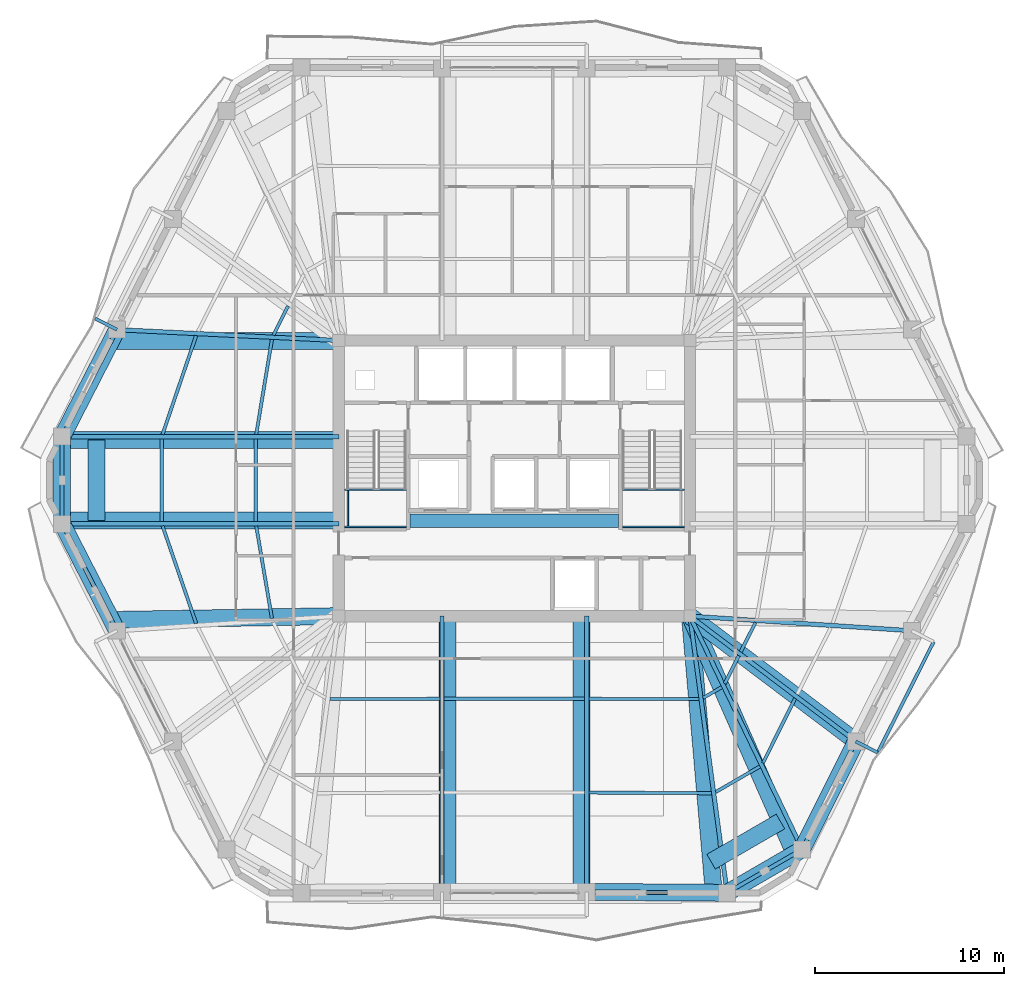
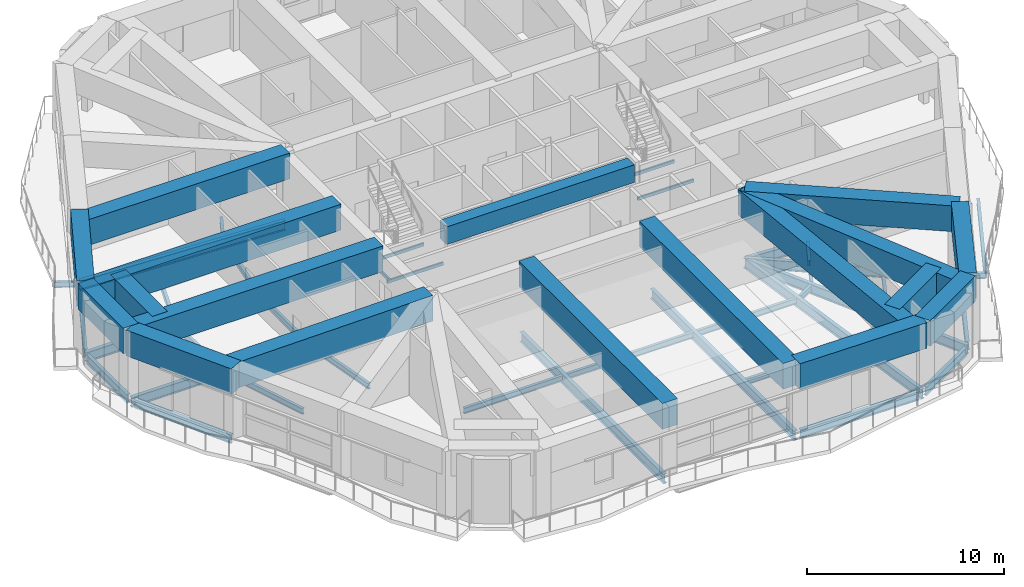
# One storey, part 5 of 20: 57 beams.
"""IFC4 building model written with IfcOpenShell, lengths in metres."""

import ifcopenshell
import ifcopenshell.guid

model = None  # the IFC model being written
_history = None  # IfcOwnerHistory: only IFC2X3 demands one
_inside = {}  # id of a spatial element -> (the spatial element, [elements in it])
_under = {}  # id of a project, library or spatial element -> (it, [spatial elements below it])
_declared = {}  # id of a project -> (the project, [libraries it declares])
_typed = {}  # id of a type object -> (the type object, [elements of that type])
_made_of = {}  # id of a material, layer set ... -> (it, [elements and type objects made of it])


def new_model(schema):
    """Start an empty IFC model of exactly this schema.

    Asked for "IFC4X3", IfcOpenShell would pick the latest addendum, in which some entities
    have other attributes; the version numbers below select the first issue.
    IFC2X3 requires an IfcOwnerHistory on every rooted entity: one is made here for all.
    """
    global model, _history
    if schema == "IFC4X3":
        model = ifcopenshell.file(schema_version=(4, 3, 0, 0))
    else:
        model = ifcopenshell.file(schema=schema)
    _inside.clear()
    _under.clear()
    _declared.clear()
    _typed.clear()
    _made_of.clear()
    _history = None
    if model.schema == "IFC2X3":
        org = make("IfcOrganization", Name="unknown")
        user = make(
            "IfcPersonAndOrganization",
            ThePerson=make("IfcPerson", FamilyName="unknown"),
            TheOrganization=org,
        )
        app = make(
            "IfcApplication",
            ApplicationDeveloper=org,
            Version="unknown",
            ApplicationFullName="unknown",
            ApplicationIdentifier="unknown",
        )
        _history = make(
            "IfcOwnerHistory",
            OwningUser=user,
            OwningApplication=app,
            ChangeAction="ADDED",
            CreationDate=0,
        )
    return model


def make(cls, **values):
    """One entity of the class cls with the attributes given. An attribute that is None is left unset."""
    return model.create_entity(
        cls, **{name: value for name, value in values.items() if value is not None}
    )


def rooted(cls, **values):
    """An entity with a GlobalId (a new one), such as an element, a storey or a relation."""
    return make(cls, GlobalId=ifcopenshell.guid.new(), OwnerHistory=_history, **values)


def si_unit(unit_type, name, prefix=None):
    """IfcSIUnit, for example si_unit("LENGTHUNIT", "METRE", prefix="MILLI")."""
    return make("IfcSIUnit", UnitType=unit_type, Prefix=prefix, Name=name)


def assignment(units):
    """IfcUnitAssignment: the units of a project."""
    return None if units is None else make("IfcUnitAssignment", Units=units)


def point(xyz):
    """IfcCartesianPoint."""
    return None if xyz is None else make("IfcCartesianPoint", Coordinates=xyz)


def direction(xyz):
    """IfcDirection."""
    return None if xyz is None else make("IfcDirection", DirectionRatios=xyz)


def frame(location, z_axis=None, x_axis=None):
    """IfcAxis2Placement3D, a coordinate frame: its origin and axes. An axis left out is left unset."""
    return make(
        "IfcAxis2Placement3D",
        Location=point(location),
        Axis=direction(z_axis),
        RefDirection=direction(x_axis),
    )


def frame_2d(location, x_axis=None):
    """IfcAxis2Placement2D, a coordinate frame in the plane: its origin and x axis."""
    return make(
        "IfcAxis2Placement2D", Location=point(location), RefDirection=direction(x_axis)
    )


def origin():
    """The frame at (0, 0, 0) with its axes left unset."""
    return frame((0.0, 0.0, 0.0))


def origin_2d():
    """The frame at (0, 0) in the plane with its x axis left unset."""
    return frame_2d((0.0, 0.0))


def place(relative_to, where):
    """IfcLocalPlacement: puts the frame where relative to a parent placement (None: the world)."""
    return make(
        "IfcLocalPlacement", PlacementRelTo=relative_to, RelativePlacement=where
    )


def context(
    kind, dimensions, precision=None, world=None, true_north=None, identifier=None
):
    """IfcGeometricRepresentationContext, for example the 3D "Model" context."""
    return make(
        "IfcGeometricRepresentationContext",
        ContextIdentifier=identifier,
        ContextType=kind,
        CoordinateSpaceDimension=dimensions,
        Precision=precision,
        WorldCoordinateSystem=world,
        TrueNorth=true_north,
    )


def subcontext(parent, identifier, kind, view, scale=None):
    """IfcGeometricRepresentationSubContext, for example "Body" below "Model"."""
    return make(
        "IfcGeometricRepresentationSubContext",
        ContextIdentifier=identifier,
        ContextType=kind,
        ParentContext=parent,
        TargetScale=scale,
        TargetView=view,
    )


def project(units=None, contexts=None):
    """IfcProject with its units and contexts."""
    return rooted(
        "IfcProject",
        Name="project",
        RepresentationContexts=contexts,
        UnitsInContext=assignment(units),
    )


def spatial(cls, under=None, at=None, **own):
    """A site, building, storey or space (cls), placed at a placement, below another one or the project."""
    s = rooted(cls, ObjectPlacement=at, **own)
    if under is not None:
        _under.setdefault(under.id(), (under, []))[1].append(s)
    return s


def profile(cls, at=None, kind="AREA", **sizes):
    """A parametric profile (cls). Its sizes go by their IFC names, for example OverallWidth=200.0."""
    return make(cls, ProfileType=kind, Position=at, **sizes)


def rectangle(**sizes):
    """IfcRectangleProfileDef."""
    return profile("IfcRectangleProfileDef", **sizes)


def hollow_rectangle(**sizes):
    """IfcRectangleHollowProfileDef."""
    return profile("IfcRectangleHollowProfileDef", **sizes)


def i_section(**sizes):
    """IfcIShapeProfileDef."""
    return profile("IfcIShapeProfileDef", **sizes)


def extrude(swept, where, along, depth):
    """IfcExtrudedAreaSolid: the profile swept, set in the frame where, extruded along a direction by depth."""
    return make(
        "IfcExtrudedAreaSolid",
        SweptArea=swept,
        Position=where,
        ExtrudedDirection=direction(along),
        Depth=depth,
    )


def shape(context_of_items, identifier, shape_type, items):
    """IfcShapeRepresentation: the items that make up one representation, for example the "Body"."""
    return make(
        "IfcShapeRepresentation",
        ContextOfItems=context_of_items,
        RepresentationIdentifier=identifier,
        RepresentationType=shape_type,
        Items=items,
    )


def material(Name=None, Category=None):
    """IfcMaterial."""
    return make("IfcMaterial", Name=Name, Category=Category)


def material_profile(
    of_material, cross_section, Name=None, Category=None, Priority=None
):
    """IfcMaterialProfile: a cross section and its material."""
    return make(
        "IfcMaterialProfile",
        Name=Name,
        Material=of_material,
        Profile=cross_section,
        Priority=Priority,
        Category=Category,
    )


def profile_set(profiles, Name=None, composite=None):
    """IfcMaterialProfileSet."""
    return make(
        "IfcMaterialProfileSet",
        Name=Name,
        MaterialProfiles=profiles,
        CompositeProfile=composite,
    )


def made_of(thing, what):
    """Note that an element or type object is made of a material, layer set ...; save() writes the relation."""
    if what is not None:
        _made_of.setdefault(what.id(), (what, []))[1].append(thing)
    return thing


def type_object(cls, material=None, **own):
    """A type object (cls), such as IfcWallType, which elements share."""
    return made_of(rooted(cls, **own), material)


def element(
    cls,
    number,
    at=None,
    inside=None,
    cuts=None,
    type_object=None,
    material=None,
    context=None,
    identifier="Body",
    shape_type=None,
    held_by="IfcProductDefinitionShape",
    body=None,
    shapes=None,
    **own,
):
    """One element of the class cls, such as IfcWall. Its Tag is "e" and its number.

    at: its placement. inside: the storey or other place that contains it. cuts: it is an
    opening in that element (IfcRelVoidsElement). A single representation is given by context,
    identifier, shape_type and body (its items); several are given by shapes. held_by: the class
    of the entity that holds the representations. save() writes the other relations.
    """
    e = rooted(cls, Tag="e%d" % number, ObjectPlacement=at, **own)
    if body is not None:
        shapes = [shape(context, identifier, shape_type, body)]
    if shapes is not None:
        e.Representation = make(held_by, Representations=shapes)
    if inside is not None:
        _inside.setdefault(inside.id(), (inside, []))[1].append(e)
    if cuts is not None:
        rooted(
            "IfcRelVoidsElement", RelatingBuildingElement=cuts, RelatedOpeningElement=e
        )
    if type_object is not None:
        _typed.setdefault(type_object.id(), (type_object, []))[1].append(e)
    return made_of(e, material)


def aggregate(whole, parts):
    """IfcRelAggregates: a whole, such as a stair, and the parts it consists of."""
    return rooted("IfcRelAggregates", RelatingObject=whole, RelatedObjects=parts)


def save(model, path):
    """Write the relations noted so far, then the file.

    IfcRelAggregates (storeys below a building ...), IfcRelContainedInSpatialStructure (elements
    in a storey), IfcRelDefinesByType, IfcRelAssociatesMaterial and IfcRelDeclares: one each for
    every whole, place, type object, material and project.
    """
    for whole, parts in _under.values():
        aggregate(whole, parts)
    for where, things in _inside.values():
        rooted(
            "IfcRelContainedInSpatialStructure",
            RelatedElements=things,
            RelatingStructure=where,
        )
    for kind, things in _typed.values():
        rooted("IfcRelDefinesByType", RelatedObjects=things, RelatingType=kind)
    for what, things in _made_of.values():
        rooted("IfcRelAssociatesMaterial", RelatedObjects=things, RelatingMaterial=what)
    for by, libraries in _declared.values():
        rooted("IfcRelDeclares", RelatingContext=by, RelatedDefinitions=libraries)
    model.write(path)


model = new_model("IFC4")

# Units and contexts
model_context = context("Model", 3, precision=1e-05, world=origin(), true_north=direction((0.0, 1.0)))
body_context = subcontext(model_context, "Body", "Model", "MODEL_VIEW")
ifc_project = project(units=[si_unit("LENGTHUNIT", "METRE"), si_unit("AREAUNIT", "SQUARE_METRE"), si_unit("VOLUMEUNIT", "CUBIC_METRE"), si_unit("PLANEANGLEUNIT", "RADIAN"), si_unit("MASSUNIT", "GRAM", prefix="KILO")], contexts=[model_context])

# Site, building, storey
site_placement = place(None, origin())
site = spatial("IfcSite", under=ifc_project, at=site_placement, CompositionType="ELEMENT")
building_placement = place(site_placement, origin())
building = spatial("IfcBuilding", under=site, at=building_placement, Name="Cinnabar Lancet Tower", CompositionType="ELEMENT")
storey_placement = place(building_placement, frame((0.0, 0.0, 167.699951171875)))
storey = spatial("IfcBuildingStorey", under=building, at=storey_placement, Name="L44", CompositionType="ELEMENT", Elevation=167.699951171875)

# Beams
ifc_material_1 = material(Name="Concrete C70/85", Category="concrete")
ifc_material_profile_1 = material_profile(ifc_material_1, rectangle(XDim=0.89990234375, YDim=1.60009765625, at=origin_2d()), Name="RC-BG 900x1600")
ifc_profile_set_1 = profile_set([ifc_material_profile_1], Name="Concrete C70/85")
beam_type_1 = type_object("IfcBeamType", Name="STR-BM-BG-1600", PredefinedType="BEAM", material=ifc_profile_set_1)
beam_1_placement = place(storey_placement, frame((36.23193359375, 3.991943359375, 3.400146484375), z_axis=(0.999974627917, -0.007123448699, 0.0), x_axis=(0.007123448699, 0.999974627917, 0.0)))
element("IfcBeam", 1, at=beam_1_placement, inside=storey, type_object=beam_type_1, Name="L45 Setback Outer Ring Girder 3", PredefinedType="BEAM", context=body_context, shape_type="SweptSolid", body=[
    extrude(rectangle(XDim=0.89990234375, YDim=1.60009765625, at=origin_2d()), origin(), (0.0, 0.0, 1.0), 7.437255859375),
])
beam_2_placement = place(storey_placement, frame((43.6689453125, 3.93896484375, 3.400146484375), z_axis=(0.865150012959, 0.501513165407, 0.0), x_axis=(-0.501513165407, 0.865150012959, 0.0)))
element("IfcBeam", 2, at=beam_2_placement, inside=storey, type_object=beam_type_1, Name="L45 Setback Outer Ring Girder 4", PredefinedType="BEAM", context=body_context, shape_type="SweptSolid", body=[
    extrude(rectangle(XDim=0.89990234375, YDim=1.60009765625, at=origin_2d()), origin(), (0.0, 0.0, 1.0), 4.600341796875),
])
beam_3_placement = place(storey_placement, frame((47.64892578125, 6.24609375, 3.400146484375), z_axis=(0.445405484245, 0.895328964462, 0.0), x_axis=(-0.895328964462, 0.445405484245, 0.0)))
element("IfcBeam", 3, at=beam_3_placement, inside=storey, type_object=beam_type_1, Name="L45 Setback Outer Ring Girder 5", PredefinedType="BEAM", context=body_context, shape_type="SweptSolid", body=[
    extrude(rectangle(XDim=0.89990234375, YDim=1.60009765625, at=origin_2d()), origin(), (0.0, 0.0, 1.0), 6.37646484375),
])
beam_4_placement = place(storey_placement, frame((11.347900390625, 33.77587890625, 3.400146484375), z_axis=(-0.456146961682, -0.889904460798, 0.0), x_axis=(0.889904460798, -0.456146961682, 0.0)))
element("IfcBeam", 4, at=beam_4_placement, inside=storey, type_object=beam_type_1, Name="L45 Setback Outer Ring Girder 19", PredefinedType="BEAM", context=body_context, shape_type="SweptSolid", body=[
    extrude(rectangle(XDim=0.89990234375, YDim=1.60009765625, at=origin_2d()), origin(), (0.0, 0.0, 1.0), 6.3681640625),
])
beam_5_placement = place(storey_placement, frame((8.443115234375, 28.10888671875, 3.400146484375), z_axis=(0.0, -1.0, 0.0), x_axis=(1.0, 0.0, 0.0)))
element("IfcBeam", 5, at=beam_5_placement, inside=storey, type_object=beam_type_1, Name="L45 Setback Outer Ring Girder 20", PredefinedType="BEAM", context=body_context, shape_type="SweptSolid", body=[
    extrude(rectangle(XDim=0.89990234375, YDim=1.60009765625, at=origin_2d()), origin(), (0.0, 0.0, 1.0), 4.617919921875),
])
beam_6_placement = place(storey_placement, frame((8.443115234375, 23.490966796875, 3.400146484375), z_axis=(0.456146961682, -0.889904460798, 0.0), x_axis=(0.889904460798, 0.456146961682, 0.0)))
element("IfcBeam", 6, at=beam_6_placement, inside=storey, type_object=beam_type_1, Name="L45 Setback Outer Ring Girder 21", PredefinedType="BEAM", context=body_context, shape_type="SweptSolid", body=[
    extrude(rectangle(XDim=0.89990234375, YDim=1.60009765625, at=origin_2d()), origin(), (0.0, 0.0, 1.0), 6.3681640625),
])
for number, where, z_axis, x_axis, name in (
    (7, (28.85693359375, 3.991943359375, 3.400146484375), (0.0, 1.0, 0.0), (-1.0, 0.0, 0.0), "L45 Setback Continuous Radial Transfer Girder 2"),
    (8, (35.943115234375, 3.991943359375, 3.400146484375), (0.0, 1.0, 0.0), (-1.0, 0.0, 0.0), "L45 Setback Continuous Radial Transfer Girder 3"),
):
    element("IfcBeam", number, at=place(storey_placement, frame(where, z_axis=z_axis, x_axis=x_axis)), inside=storey, type_object=beam_type_1, Name=name, PredefinedType="BEAM", context=body_context, shape_type="SweptSolid", body=[
        extrude(rectangle(XDim=0.89990234375, YDim=1.60009765625, at=origin_2d()), origin(), (0.0, 0.0, 1.0), 14.608154296875),
    ])
beam_7_placement = place(storey_placement, frame((42.9619140625, 3.950927734375, 3.400146484375), z_axis=(-0.085827813824, 0.996309985082, 0.0), x_axis=(-0.996309985082, -0.085827813824, 0.0)))
element("IfcBeam", 9, at=beam_7_placement, inside=storey, type_object=beam_type_1, Name="L45 Setback Continuous Radial Transfer Girder 4", PredefinedType="BEAM", context=body_context, shape_type="SweptSolid", body=[
    extrude(rectangle(XDim=0.89990234375, YDim=1.60009765625, at=origin_2d()), origin(), (0.0, 0.0, 1.0), 14.703369140625),
])
beam_8_placement = place(storey_placement, frame((47.176025390625, 6.173095703125, 3.400146484375), z_axis=(-0.403244030338, 0.915092482756, 0.0), x_axis=(-0.915092482756, -0.403244030338, 0.0)))
element("IfcBeam", 10, at=beam_8_placement, inside=storey, type_object=beam_type_1, Name="L45 Setback Continuous Radial Transfer Girder 5", PredefinedType="BEAM", context=body_context, shape_type="SweptSolid", body=[
    extrude(rectangle(XDim=0.89990234375, YDim=1.60009765625, at=origin_2d()), origin(), (0.0, 0.0, 1.0), 13.580078125),
])
beam_9_placement = place(storey_placement, frame((50.471923828125, 11.97998046875, 3.400146484375), z_axis=(-0.798199630605, 0.602393019301, 0.0), x_axis=(-0.602393019301, -0.798199630605, 0.0)))
element("IfcBeam", 11, at=beam_9_placement, inside=storey, type_object=beam_type_1, Name="L45 Setback Continuous Radial Transfer Girder 6", PredefinedType="BEAM", context=body_context, shape_type="SweptSolid", body=[
    extrude(rectangle(XDim=0.89990234375, YDim=1.60009765625, at=origin_2d()), origin(), (0.0, 0.0, 1.0), 10.98974609375),
])
beam_10_placement = place(storey_placement, frame((11.24609375, 33.1708984375, 3.400146484375), z_axis=(1.0, 0.0, 0.0), x_axis=(0.0, 1.0, 0.0)))
element("IfcBeam", 12, at=beam_10_placement, inside=storey, type_object=beam_type_1, Name="L45 Setback Continuous Radial Transfer Girder 19", PredefinedType="BEAM", context=body_context, shape_type="SweptSolid", body=[
    extrude(rectangle(XDim=0.89990234375, YDim=1.60009765625, at=origin_2d()), origin(), (0.0, 0.0, 1.0), 11.85400390625),
])
for number, where, z_axis, x_axis, name in (
    (13, (8.56201171875, 27.931884765625, 3.400146484375), (1.0, 0.0, 0.0), (0.0, 1.0, 0.0), "L45 Setback Continuous Radial Transfer Girder 20"),
    (14, (8.56201171875, 23.66796875, 3.400146484375), (1.0, 0.0, 0.0), (0.0, 1.0, 0.0), "L45 Setback Continuous Radial Transfer Girder 21"),
):
    element("IfcBeam", number, at=place(storey_placement, frame(where, z_axis=z_axis, x_axis=x_axis)), inside=storey, type_object=beam_type_1, Name=name, PredefinedType="BEAM", context=body_context, shape_type="SweptSolid", body=[
        extrude(rectangle(XDim=0.89990234375, YDim=1.60009765625, at=origin_2d()), origin(), (0.0, 0.0, 1.0), 14.5380859375),
    ])
beam_11_placement = place(storey_placement, frame((11.24609375, 18.39990234375, 3.400146484375), z_axis=(0.999857421254, 0.016886004972, 0.0), x_axis=(-0.016886004972, 0.999857421254, 0.0)))
element("IfcBeam", 15, at=beam_11_placement, inside=storey, type_object=beam_type_1, Name="L45 Setback Continuous Radial Transfer Girder 22", PredefinedType="BEAM", context=body_context, shape_type="SweptSolid", body=[
    extrude(rectangle(XDim=0.89990234375, YDim=1.60009765625, at=origin_2d()), origin(), (0.0, 0.0, 1.0), 11.855712890625),
])
beam_12_placement = place(storey_placement, frame((42.821044921875, 5.589111328125, 3.400146484375), z_axis=(0.865241216859, 0.501355798459, 0.0), x_axis=(-0.501355798459, 0.865241216859, 0.0)))
element("IfcBeam", 16, at=beam_12_placement, inside=storey, type_object=beam_type_1, Name="L45 Setback Pilaster Transfer Chord 2", PredefinedType="BEAM", context=body_context, shape_type="SweptSolid", body=[
    extrude(rectangle(XDim=0.89990234375, YDim=1.60009765625, at=origin_2d()), origin(), (0.0, 0.0, 1.0), 4.246337890625),
])
beam_13_placement = place(storey_placement, frame((10.2529296875, 27.931884765625, 3.400146484375), z_axis=(0.0, -1.0, 0.0), x_axis=(1.0, 0.0, 0.0)))
element("IfcBeam", 17, at=beam_13_placement, inside=storey, type_object=beam_type_1, Name="L45 Setback Pilaster Transfer Chord 6", PredefinedType="BEAM", context=body_context, shape_type="SweptSolid", body=[
    extrude(rectangle(XDim=0.89990234375, YDim=1.60009765625, at=origin_2d()), origin(), (0.0, 0.0, 1.0), 4.263916015625),
])
ifc_material_2 = material(Name="Concrete C70/85", Category="concrete")
ifc_material_profile_2 = material_profile(ifc_material_2, rectangle(XDim=0.699951171875, YDim=1.10009765625, at=origin_2d()), Name="RC-CB 700x1100")
ifc_profile_set_2 = profile_set([ifc_material_profile_2], Name="Concrete C70/85")
beam_type_2 = type_object("IfcBeamType", Name="STR-BM-CB-1100", PredefinedType="BEAM", material=ifc_profile_set_2)
beam_14_placement = place(storey_placement, frame((26.8798828125, 23.64990234375, 3.449951171875), z_axis=(1.0, 0.0, 0.0), x_axis=(0.0, 1.0, 0.0)))
element("IfcBeam", 18, at=beam_14_placement, inside=storey, type_object=beam_type_2, Name="L44 Core Coupling Beam", PredefinedType="BEAM", context=body_context, shape_type="SweptSolid", body=[
    extrude(rectangle(XDim=0.699951171875, YDim=1.10009765625, at=origin_2d()), origin(), (0.0, 0.0, 1.0), 11.0400390625),
])
ifc_material_3 = material(Name="Structural steel S355", Category="steel")
ifc_material_profile_3 = material_profile(ifc_material_3, i_section(OverallWidth=0.17138671875, OverallDepth=0.35498046875, WebThickness=0.00732421875, FlangeThickness=0.011474609375, FilletRadius=0.01025390625, at=origin_2d()), Name="UKB 356x171x51")
ifc_profile_set_3 = profile_set([ifc_material_profile_3], Name="Structural steel S355")
beam_type_3 = type_object("IfcBeamType", Name="STR-BM-JST-356", PredefinedType="JOIST", material=ifc_profile_set_3)
beam_15_placement = place(storey_placement, frame((13.759033203125, 23.376953125, -0.387939453125), z_axis=(0.326162915393, -0.945313573701, 0.0), x_axis=(0.945313573701, 0.326162915393, 0.0)))
element("IfcBeam", 19, at=beam_15_placement, inside=storey, type_object=beam_type_3, Name="L44 Secondary Floor Joist 1", PredefinedType="JOIST", context=body_context, shape_type="SweptSolid", body=[
    extrude(i_section(OverallWidth=0.17138671875, OverallDepth=0.35498046875, WebThickness=0.00732421875, FlangeThickness=0.011474609375, FilletRadius=0.01025390625, at=origin_2d()), origin(), (0.0, 0.0, 1.0), 5.46044921875),
])
beam_16_placement = place(storey_placement, frame((18.721923828125, 23.376953125, -0.387939453125), z_axis=(0.167697718414, -0.985838463055, 0.0), x_axis=(0.985838463055, 0.167697718414, 0.0)))
element("IfcBeam", 20, at=beam_16_placement, inside=storey, type_object=beam_type_3, Name="L44 Secondary Floor Joist 2", PredefinedType="JOIST", context=body_context, shape_type="SweptSolid", body=[
    extrude(i_section(OverallWidth=0.17138671875, OverallDepth=0.35498046875, WebThickness=0.00732421875, FlangeThickness=0.011474609375, FilletRadius=0.01025390625, at=origin_2d()), origin(), (0.0, 0.0, 1.0), 4.96728515625),
])
beam_17_placement = place(storey_placement, frame((22.6240234375, 14.201904296875, -0.387939453125), z_axis=(0.999996629591, 0.002596306157, 0.0), x_axis=(-0.002596306157, 0.999996629591, 0.0)))
element("IfcBeam", 21, at=beam_17_placement, inside=storey, type_object=beam_type_3, Name="L44 Secondary Floor Joist 10", PredefinedType="JOIST", context=body_context, shape_type="SweptSolid", body=[
    extrude(i_section(OverallWidth=0.17138671875, OverallDepth=0.35498046875, WebThickness=0.00732421875, FlangeThickness=0.011474609375, FilletRadius=0.01025390625, at=origin_2d()), origin(), (0.0, 0.0, 1.0), 5.830078125),
])
beam_18_placement = place(storey_placement, frame((28.681884765625, 14.218017578125, -0.387939453125), z_axis=(1.0, 0.0, 0.0), x_axis=(0.0, 1.0, 0.0)))
element("IfcBeam", 22, at=beam_18_placement, inside=storey, type_object=beam_type_3, Name="L44 Secondary Floor Joist 12", PredefinedType="JOIST", context=body_context, shape_type="SweptSolid", body=[
    extrude(i_section(OverallWidth=0.17138671875, OverallDepth=0.35498046875, WebThickness=0.00732421875, FlangeThickness=0.011474609375, FilletRadius=0.01025390625, at=origin_2d()), origin(), (0.0, 0.0, 1.0), 7.43603515625),
])
beam_19_placement = place(storey_placement, frame((36.345947265625, 9.25, -0.387939453125), z_axis=(0.999987891549, -0.004921052359, 0.0), x_axis=(0.004921052359, 0.999987891549, 0.0)))
element("IfcBeam", 23, at=beam_19_placement, inside=storey, type_object=beam_type_3, Name="L44 Secondary Floor Joist 13", PredefinedType="JOIST", context=body_context, shape_type="SweptSolid", body=[
    extrude(i_section(OverallWidth=0.17138671875, OverallDepth=0.35498046875, WebThickness=0.00732421875, FlangeThickness=0.011474609375, FilletRadius=0.01025390625, at=origin_2d()), origin(), (0.0, 0.0, 1.0), 6.4990234375),
])
beam_20_placement = place(storey_placement, frame((36.345947265625, 14.217041015625, -0.387939453125), z_axis=(0.999996629591, -0.002596306157, 0.0), x_axis=(0.002596306157, 0.999996629591, 0.0)))
element("IfcBeam", 24, at=beam_20_placement, inside=storey, type_object=beam_type_3, Name="L44 Secondary Floor Joist 14", PredefinedType="JOIST", context=body_context, shape_type="SweptSolid", body=[
    extrude(i_section(OverallWidth=0.17138671875, OverallDepth=0.35498046875, WebThickness=0.00732421875, FlangeThickness=0.011474609375, FilletRadius=0.01025390625, at=origin_2d()), origin(), (0.0, 0.0, 1.0), 5.830078125),
])
beam_21_placement = place(storey_placement, frame((43.06689453125, 9.279052734375, -0.387939453125), z_axis=(0.865172906898, 0.501473669469, 0.0), x_axis=(-0.501473669469, 0.865172906898, 0.0)))
element("IfcBeam", 25, at=beam_21_placement, inside=storey, type_object=beam_type_3, Name="L44 Secondary Floor Joist 15", PredefinedType="JOIST", context=body_context, shape_type="SweptSolid", body=[
    extrude(i_section(OverallWidth=0.17138671875, OverallDepth=0.35498046875, WebThickness=0.00732421875, FlangeThickness=0.011474609375, FilletRadius=0.01025390625, at=origin_2d()), origin(), (0.0, 0.0, 1.0), 2.705810546875),
])
beam_22_placement = place(storey_placement, frame((42.39794921875, 14.263916015625, -0.387939453125), z_axis=(0.865426285481, 0.501036270542, 0.0), x_axis=(-0.501036270542, 0.865426285481, 0.0)))
element("IfcBeam", 26, at=beam_22_placement, inside=storey, type_object=beam_type_3, Name="L44 Secondary Floor Joist 16", PredefinedType="JOIST", context=body_context, shape_type="SweptSolid", body=[
    extrude(i_section(OverallWidth=0.17138671875, OverallDepth=0.35498046875, WebThickness=0.00732421875, FlangeThickness=0.011474609375, FilletRadius=0.01025390625, at=origin_2d()), origin(), (0.0, 0.0, 1.0), 1.1416015625),
])
beam_23_placement = place(storey_placement, frame((45.572021484375, 10.822998046875, -0.387939453125), z_axis=(0.445320605596, 0.895371184611, 0.0), x_axis=(-0.895371184611, 0.445320605596, 0.0)))
element("IfcBeam", 27, at=beam_23_placement, inside=storey, type_object=beam_type_3, Name="L44 Secondary Floor Joist 17", PredefinedType="JOIST", context=body_context, shape_type="SweptSolid", body=[
    extrude(i_section(OverallWidth=0.17138671875, OverallDepth=0.35498046875, WebThickness=0.00732421875, FlangeThickness=0.011474609375, FilletRadius=0.01025390625, at=origin_2d()), origin(), (0.0, 0.0, 1.0), 3.819580078125),
])
beam_24_placement = place(storey_placement, frame((43.549072265625, 15.02294921875, -0.387939453125), z_axis=(0.445203586036, 0.895429375764, 0.0), x_axis=(-0.895429375764, 0.445203586036, 0.0)))
element("IfcBeam", 28, at=beam_24_placement, inside=storey, type_object=beam_type_3, Name="L44 Secondary Floor Joist 18", PredefinedType="JOIST", context=body_context, shape_type="SweptSolid", body=[
    extrude(i_section(OverallWidth=0.17138671875, OverallDepth=0.35498046875, WebThickness=0.00732421875, FlangeThickness=0.011474609375, FilletRadius=0.01025390625, at=origin_2d()), origin(), (0.0, 0.0, 1.0), 1.65283203125),
])
beam_25_placement = place(storey_placement, frame((44.388916015625, 16.7099609375, -0.387939453125), z_axis=(0.45064755491, 0.892701955444, 0.0), x_axis=(-0.892701955444, 0.45064755491, 0.0)))
element("IfcBeam", 29, at=beam_25_placement, inside=storey, type_object=beam_type_3, Name="L44 Secondary Floor Joist 20", PredefinedType="JOIST", context=body_context, shape_type="SweptSolid", body=[
    extrude(i_section(OverallWidth=0.17138671875, OverallDepth=0.35498046875, WebThickness=0.00732421875, FlangeThickness=0.011474609375, FilletRadius=0.01025390625, at=origin_2d()), origin(), (0.0, 0.0, 1.0), 1.733154296875),
])
beam_26_placement = place(storey_placement, frame((20.410888671875, 35.030029296875, -0.387939453125), z_axis=(-0.45031262143, -0.892870955391, 0.0), x_axis=(0.892870955391, -0.45031262143, 0.0)))
element("IfcBeam", 30, at=beam_26_placement, inside=storey, type_object=beam_type_3, Name="L44 Secondary Floor Joist 44", PredefinedType="JOIST", context=body_context, shape_type="SweptSolid", body=[
    extrude(i_section(OverallWidth=0.17138671875, OverallDepth=0.35498046875, WebThickness=0.00732421875, FlangeThickness=0.011474609375, FilletRadius=0.01025390625, at=origin_2d()), origin(), (0.0, 0.0, 1.0), 1.731689453125),
])
beam_27_placement = place(storey_placement, frame((15.5400390625, 33.4560546875, -0.387939453125), z_axis=(-0.322342106762, -0.946623244067, 0.0), x_axis=(0.946623244067, -0.322342106762, 0.0)))
element("IfcBeam", 31, at=beam_27_placement, inside=storey, type_object=beam_type_3, Name="L44 Secondary Floor Joist 45", PredefinedType="JOIST", context=body_context, shape_type="SweptSolid", body=[
    extrude(i_section(OverallWidth=0.17138671875, OverallDepth=0.35498046875, WebThickness=0.00732421875, FlangeThickness=0.011474609375, FilletRadius=0.01025390625, at=origin_2d()), origin(), (0.0, 0.0, 1.0), 5.5283203125),
])
beam_28_placement = place(storey_placement, frame((19.555908203125, 33.259033203125, -0.387939453125), z_axis=(-0.163375154205, -0.98656401667, 0.0), x_axis=(0.98656401667, -0.163375154205, 0.0)))
element("IfcBeam", 32, at=beam_28_placement, inside=storey, type_object=beam_type_3, Name="L44 Secondary Floor Joist 46", PredefinedType="JOIST", context=body_context, shape_type="SweptSolid", body=[
    extrude(i_section(OverallWidth=0.17138671875, OverallDepth=0.35498046875, WebThickness=0.00732421875, FlangeThickness=0.011474609375, FilletRadius=0.01025390625, at=origin_2d()), origin(), (0.0, 0.0, 1.0), 5.104736328125),
])
for number, where, z_axis, x_axis, name in (
    (33, (13.719970703125, 27.9951171875, -0.387939453125), (0.0, -1.0, 0.0), (1.0, 0.0, 0.0), "L44 Secondary Floor Joist 47"),
    (34, (18.702880859375, 27.9951171875, -0.387939453125), (0.0, -1.0, 0.0), (1.0, 0.0, 0.0), "L44 Secondary Floor Joist 48"),
):
    element("IfcBeam", number, at=place(storey_placement, frame(where, z_axis=z_axis, x_axis=x_axis)), inside=storey, type_object=beam_type_3, Name=name, PredefinedType="JOIST", context=body_context, shape_type="SweptSolid", body=[
        extrude(i_section(OverallWidth=0.17138671875, OverallDepth=0.35498046875, WebThickness=0.00732421875, FlangeThickness=0.011474609375, FilletRadius=0.01025390625, at=origin_2d()), origin(), (0.0, 0.0, 1.0), 4.39013671875),
    ])
ifc_material_4 = material(Name="Structural steel S355", Category="steel")
ifc_material_profile_4 = material_profile(ifc_material_4, hollow_rectangle(XDim=0.10009765625, YDim=0.199951171875, WallThickness=0.008056640625, InnerFilletRadius=0.00390625, OuterFilletRadius=0.011962890625, at=origin_2d()), Name="RHS 200x100x8")
ifc_profile_set_4 = profile_set([ifc_material_profile_4], Name="Structural steel S355")
beam_type_4 = type_object("IfcBeamType", Name="STR-BM-LND-203", PredefinedType="BEAM", material=ifc_profile_set_4)
for number, where, z_axis, x_axis, name in (
    (35, (23.39990234375, 23.330078125, 1.800048828125), (1.0, 0.0, 0.0), (0.0, 1.0, 0.0), "L44 ST-1-L44 Landing Support Beam S"),
    (36, (23.39990234375, 25.294921875, 1.800048828125), (1.0, 0.0, 0.0), (0.0, 1.0, 0.0), "L44 ST-1-L44 Landing Support Beam N"),
):
    element("IfcBeam", number, at=place(storey_placement, frame(where, z_axis=z_axis, x_axis=x_axis)), inside=storey, type_object=beam_type_4, Name=name, PredefinedType="BEAM", context=body_context, shape_type="SweptSolid", body=[
        extrude(hollow_rectangle(XDim=0.10009765625, YDim=0.199951171875, WallThickness=0.008056640625, InnerFilletRadius=0.00390625, OuterFilletRadius=0.011962890625, at=origin_2d()), origin(), (0.0, 0.0, 1.0), 3.280029296875),
    ])
beam_29_placement = place(storey_placement, frame((23.580078125, 23.3798828125, 1.800048828125), z_axis=(0.0, 1.0, 0.0), x_axis=(-1.0, 0.0, 0.0)))
element("IfcBeam", 37, at=beam_29_placement, inside=storey, type_object=beam_type_4, Name="L44 ST-1-L44 Landing Side Trimmer Beam", PredefinedType="BEAM", context=body_context, shape_type="SweptSolid", body=[
    extrude(hollow_rectangle(XDim=0.10009765625, YDim=0.199951171875, WallThickness=0.008056640625, InnerFilletRadius=0.00390625, OuterFilletRadius=0.011962890625, at=origin_2d()), origin(), (0.0, 0.0, 1.0), 1.865234375),
])
for number, where, z_axis, x_axis, name in (
    (38, (38.1201171875, 23.330078125, 1.800048828125), (1.0, 0.0, 0.0), (0.0, 1.0, 0.0), "L44 ST-2-L44 Landing Support Beam S"),
    (39, (38.1201171875, 25.294921875, 1.800048828125), (1.0, 0.0, 0.0), (0.0, 1.0, 0.0), "L44 ST-2-L44 Landing Support Beam N"),
):
    element("IfcBeam", number, at=place(storey_placement, frame(where, z_axis=z_axis, x_axis=x_axis)), inside=storey, type_object=beam_type_4, Name=name, PredefinedType="BEAM", context=body_context, shape_type="SweptSolid", body=[
        extrude(hollow_rectangle(XDim=0.10009765625, YDim=0.199951171875, WallThickness=0.008056640625, InnerFilletRadius=0.00390625, OuterFilletRadius=0.011962890625, at=origin_2d()), origin(), (0.0, 0.0, 1.0), 3.27978515625),
    ])
ifc_material_5 = material(Name="Structural steel S355", Category="steel")
ifc_material_profile_5 = material_profile(ifc_material_5, i_section(OverallWidth=0.209228515625, OverallDepth=0.533203125, WebThickness=0.010009765625, FlangeThickness=0.015625, FilletRadius=0.0126953125, at=origin_2d()), Name="UKB 533x210x92")
ifc_profile_set_5 = profile_set([ifc_material_profile_5], Name="Structural steel S355")
beam_type_5 = type_object("IfcBeamType", Name="STR-BM-SPN-533", PredefinedType="SPANDREL", material=ifc_profile_set_5)
beam_30_placement = place(storey_placement, frame((36.48193359375, 3.989990234375, -0.47705078125), z_axis=(0.999974980359, -0.007073800628, 0.0), x_axis=(0.007073800628, 0.999974980359, 0.0)))
element("IfcBeam", 40, at=beam_30_placement, inside=storey, type_object=beam_type_5, Name="L44 Perimeter Spandrel 3", PredefinedType="SPANDREL", context=body_context, shape_type="SweptSolid", body=[
    extrude(i_section(OverallWidth=0.209228515625, OverallDepth=0.533203125, WebThickness=0.010009765625, FlangeThickness=0.015625, FilletRadius=0.0126953125, at=origin_2d()), origin(), (0.0, 0.0, 1.0), 6.937255859375),
])
beam_31_placement = place(storey_placement, frame((43.885009765625, 4.06396484375, -0.47705078125), z_axis=(0.865112299906, 0.501578217781, 0.0), x_axis=(-0.501578217781, 0.865112299906, 0.0)))
element("IfcBeam", 41, at=beam_31_placement, inside=storey, type_object=beam_type_5, Name="L44 Perimeter Spandrel 4", PredefinedType="SPANDREL", context=body_context, shape_type="SweptSolid", body=[
    extrude(i_section(OverallWidth=0.209228515625, OverallDepth=0.533203125, WebThickness=0.010009765625, FlangeThickness=0.015625, FilletRadius=0.0126953125, at=origin_2d()), origin(), (0.0, 0.0, 1.0), 4.101318359375),
])
beam_32_placement = place(storey_placement, frame((47.760009765625, 6.469970703125, -0.47705078125), z_axis=(0.445501068635, 0.89528140707, 0.0), x_axis=(-0.89528140707, 0.445501068635, 0.0)))
element("IfcBeam", 42, at=beam_32_placement, inside=storey, type_object=beam_type_5, Name="L44 Perimeter Spandrel 5", PredefinedType="SPANDREL", context=body_context, shape_type="SweptSolid", body=[
    extrude(i_section(OverallWidth=0.209228515625, OverallDepth=0.533203125, WebThickness=0.010009765625, FlangeThickness=0.015625, FilletRadius=0.0126953125, at=origin_2d()), origin(), (0.0, 0.0, 1.0), 5.87646484375),
])
beam_33_placement = place(storey_placement, frame((11.23388671875, 33.553955078125, -0.47705078125), z_axis=(-0.456126618405, -0.889914888055, 0.0), x_axis=(0.889914888055, -0.456126618405, 0.0)))
element("IfcBeam", 43, at=beam_33_placement, inside=storey, type_object=beam_type_5, Name="L44 Perimeter Spandrel 19", PredefinedType="SPANDREL", context=body_context, shape_type="SweptSolid", body=[
    extrude(i_section(OverallWidth=0.209228515625, OverallDepth=0.533203125, WebThickness=0.010009765625, FlangeThickness=0.015625, FilletRadius=0.0126953125, at=origin_2d()), origin(), (0.0, 0.0, 1.0), 5.868896484375),
])
beam_34_placement = place(storey_placement, frame((8.443115234375, 27.85888671875, -0.47705078125), z_axis=(0.0, -1.0, 0.0), x_axis=(1.0, 0.0, 0.0)))
element("IfcBeam", 44, at=beam_34_placement, inside=storey, type_object=beam_type_5, Name="L44 Perimeter Spandrel 20", PredefinedType="SPANDREL", context=body_context, shape_type="SweptSolid", body=[
    extrude(i_section(OverallWidth=0.209228515625, OverallDepth=0.533203125, WebThickness=0.010009765625, FlangeThickness=0.015625, FilletRadius=0.0126953125, at=origin_2d()), origin(), (0.0, 0.0, 1.0), 4.117919921875),
])
beam_35_placement = place(storey_placement, frame((8.556884765625, 23.26904296875, -0.47705078125), z_axis=(0.456109733574, -0.889923542187, 0.0), x_axis=(0.889923542187, 0.456109733574, 0.0)))
element("IfcBeam", 45, at=beam_35_placement, inside=storey, type_object=beam_type_5, Name="L44 Perimeter Spandrel 21", PredefinedType="SPANDREL", context=body_context, shape_type="SweptSolid", body=[
    extrude(i_section(OverallWidth=0.209228515625, OverallDepth=0.533203125, WebThickness=0.010009765625, FlangeThickness=0.015625, FilletRadius=0.0126953125, at=origin_2d()), origin(), (0.0, 0.0, 1.0), 5.869140625),
])
ifc_material_6 = material(Name="Structural steel S355", Category="steel")
ifc_material_profile_6 = material_profile(ifc_material_6, i_section(OverallWidth=0.228271484375, OverallDepth=0.607666015625, WebThickness=0.010986328125, FlangeThickness=0.017333984375, FilletRadius=0.0126953125, at=origin_2d()), Name="UKB 610x229x113")
ifc_profile_set_6 = profile_set([ifc_material_profile_6], Name="Structural steel S355")
beam_type_6 = type_object("IfcBeamType", Name="STR-BM-UKB610-113", PredefinedType="BEAM", material=ifc_profile_set_6)
beam_36_placement = place(storey_placement, frame((50.489013671875, 11.955078125, -0.513916015625), z_axis=(-0.797675450227, 0.603086955675, 0.0), x_axis=(-0.603086955675, -0.797675450227, 0.0)))
element("IfcBeam", 46, at=beam_36_placement, inside=storey, type_object=beam_type_6, Name="L44 Corner Collector Girder 2", PredefinedType="BEAM", context=body_context, shape_type="SweptSolid", body=[
    extrude(i_section(OverallWidth=0.228271484375, OverallDepth=0.607666015625, WebThickness=0.010986328125, FlangeThickness=0.017333984375, FilletRadius=0.0126953125, at=origin_2d()), origin(), (0.0, 0.0, 1.0), 11.018310546875),
])
for number, where, z_axis, x_axis, name in (
    (47, (28.568115234375, 3.991943359375, -0.513916015625), (0.0, 1.0, 0.0), (-1.0, 0.0, 0.0), "L44 Primary Floor Girder 2"),
    (48, (36.23193359375, 3.991943359375, -0.513916015625), (0.0, 1.0, 0.0), (-1.0, 0.0, 0.0), "L44 Primary Floor Girder 3"),
):
    element("IfcBeam", number, at=place(storey_placement, frame(where, z_axis=z_axis, x_axis=x_axis)), inside=storey, type_object=beam_type_6, Name=name, PredefinedType="BEAM", context=body_context, shape_type="SweptSolid", body=[
        extrude(i_section(OverallWidth=0.228271484375, OverallDepth=0.607666015625, WebThickness=0.010986328125, FlangeThickness=0.017333984375, FilletRadius=0.0126953125, at=origin_2d()), origin(), (0.0, 0.0, 1.0), 14.608154296875),
    ])
beam_37_placement = place(storey_placement, frame((43.6689453125, 3.93896484375, -0.513916015625), z_axis=(-0.133105256814, 0.991101907277, 0.0), x_axis=(-0.991101907277, -0.133105256814, 0.0)))
element("IfcBeam", 49, at=beam_37_placement, inside=storey, type_object=beam_type_6, Name="L44 Primary Floor Girder 4", PredefinedType="BEAM", context=body_context, shape_type="SweptSolid", body=[
    extrude(i_section(OverallWidth=0.228271484375, OverallDepth=0.607666015625, WebThickness=0.010986328125, FlangeThickness=0.017333984375, FilletRadius=0.0126953125, at=origin_2d()), origin(), (0.0, 0.0, 1.0), 14.792724609375),
])
beam_38_placement = place(storey_placement, frame((47.64892578125, 6.24609375, -0.513916015625), z_axis=(-0.433860052011, 0.900980274628, 0.0), x_axis=(-0.900980274628, -0.433860052011, 0.0)))
element("IfcBeam", 50, at=beam_38_placement, inside=storey, type_object=beam_type_6, Name="L44 Primary Floor Girder 5", PredefinedType="BEAM", context=body_context, shape_type="SweptSolid", body=[
    extrude(i_section(OverallWidth=0.228271484375, OverallDepth=0.607666015625, WebThickness=0.010986328125, FlangeThickness=0.017333984375, FilletRadius=0.0126953125, at=origin_2d()), origin(), (0.0, 0.0, 1.0), 13.711669921875),
])
beam_39_placement = place(storey_placement, frame((53.451904296875, 17.823974609375, -0.513916015625), z_axis=(-0.997826331825, 0.065898494035, 0.0), x_axis=(-0.065898494035, -0.997826331825, 0.0)))
element("IfcBeam", 51, at=beam_39_placement, inside=storey, type_object=beam_type_6, Name="L44 Primary Floor Girder 7", PredefinedType="BEAM", context=body_context, shape_type="SweptSolid", body=[
    extrude(i_section(OverallWidth=0.228271484375, OverallDepth=0.607666015625, WebThickness=0.010986328125, FlangeThickness=0.017333984375, FilletRadius=0.0126953125, at=origin_2d()), origin(), (0.0, 0.0, 1.0), 11.777587890625),
])
beam_40_placement = place(storey_placement, frame((11.347900390625, 33.77587890625, -0.513916015625), z_axis=(0.99880136637, -0.048947221955, 0.0), x_axis=(0.048947221955, 0.99880136637, 0.0)))
element("IfcBeam", 52, at=beam_40_placement, inside=storey, type_object=beam_type_6, Name="L44 Primary Floor Girder 19", PredefinedType="BEAM", context=body_context, shape_type="SweptSolid", body=[
    extrude(i_section(OverallWidth=0.228271484375, OverallDepth=0.607666015625, WebThickness=0.010986328125, FlangeThickness=0.017333984375, FilletRadius=0.0126953125, at=origin_2d()), origin(), (0.0, 0.0, 1.0), 11.766357421875),
])
for number, where, z_axis, x_axis, name in (
    (53, (8.443115234375, 28.10888671875, -0.513916015625), (1.0, 0.0, 0.0), (0.0, 1.0, 0.0), "L44 Primary Floor Girder 20"),
    (54, (8.443115234375, 23.490966796875, -0.513916015625), (1.0, 0.0, 0.0), (0.0, 1.0, 0.0), "L44 Primary Floor Girder 21"),
):
    element("IfcBeam", number, at=place(storey_placement, frame(where, z_axis=z_axis, x_axis=x_axis)), inside=storey, type_object=beam_type_6, Name=name, PredefinedType="BEAM", context=body_context, shape_type="SweptSolid", body=[
        extrude(i_section(OverallWidth=0.228271484375, OverallDepth=0.607666015625, WebThickness=0.010986328125, FlangeThickness=0.017333984375, FilletRadius=0.0126953125, at=origin_2d()), origin(), (0.0, 0.0, 1.0), 14.656982421875),
    ])
ifc_material_7 = material(Name="Structural steel S355", Category="steel")
ifc_material_profile_7 = material_profile(ifc_material_7, i_section(OverallWidth=0.17138671875, OverallDepth=0.35498046875, WebThickness=0.00732421875, FlangeThickness=0.011474609375, FilletRadius=0.01025390625, at=origin_2d()), Name="UKB 356x171x51")
ifc_profile_set_7 = profile_set([ifc_material_profile_7], Name="Structural steel S355")
beam_type_7 = type_object("IfcBeamType", Name="STR-BM-WAV-OUT", PredefinedType="BEAM", material=ifc_profile_set_7)
for number, where, z_axis, x_axis, name in (
    (55, (50.489013671875, 11.955078125, -0.41796875), (0.892200264127, -0.451639998995, 0.0), (0.451639998995, 0.892200264127, 0.0), "L44 Face 2 Balcony Outlooker A"),
    (56, (11.347900390625, 33.77587890625, -0.41796875), (-0.892200264127, 0.451639998995, 0.0), (-0.451639998995, -0.892200264127, 0.0), "L44 Face 5 Balcony Outlooker B"),
):
    element("IfcBeam", number, at=place(storey_placement, frame(where, z_axis=z_axis, x_axis=x_axis)), inside=storey, type_object=beam_type_7, Name=name, PredefinedType="BEAM", context=body_context, shape_type="SweptSolid", body=[
        extrude(i_section(OverallWidth=0.17138671875, OverallDepth=0.35498046875, WebThickness=0.00732421875, FlangeThickness=0.011474609375, FilletRadius=0.01025390625, at=origin_2d()), origin(), (0.0, 0.0, 1.0), 1.300048828125),
    ])
ifc_material_8 = material(Name="Structural steel S355", Category="steel")
ifc_material_profile_8 = material_profile(ifc_material_8, i_section(OverallWidth=0.17138671875, OverallDepth=0.35498046875, WebThickness=0.00732421875, FlangeThickness=0.011474609375, FilletRadius=0.01025390625, at=origin_2d()), Name="UKB 356x171x51")
ifc_profile_set_8 = profile_set([ifc_material_profile_8], Name="Structural steel S355")
beam_type_8 = type_object("IfcBeamType", Name="STR-BM-WAV-TRIM", PredefinedType="SPANDREL", material=ifc_profile_set_8)
beam_41_placement = place(storey_placement, frame((51.64892578125, 11.367919921875, -0.41796875), z_axis=(0.450685888317, 0.892682603209, 0.0), x_axis=(-0.892682603209, 0.450685888317, 0.0)))
element("IfcBeam", 57, at=beam_41_placement, inside=storey, type_object=beam_type_8, Name="L44 Face 2 Balcony Edge Trimmer", PredefinedType="SPANDREL", context=body_context, shape_type="SweptSolid", body=[
    extrude(i_section(OverallWidth=0.17138671875, OverallDepth=0.35498046875, WebThickness=0.00732421875, FlangeThickness=0.011474609375, FilletRadius=0.01025390625, at=origin_2d()), origin(), (0.0, 0.0, 1.0), 6.57470703125),
])

save(model, "model.ifc")
